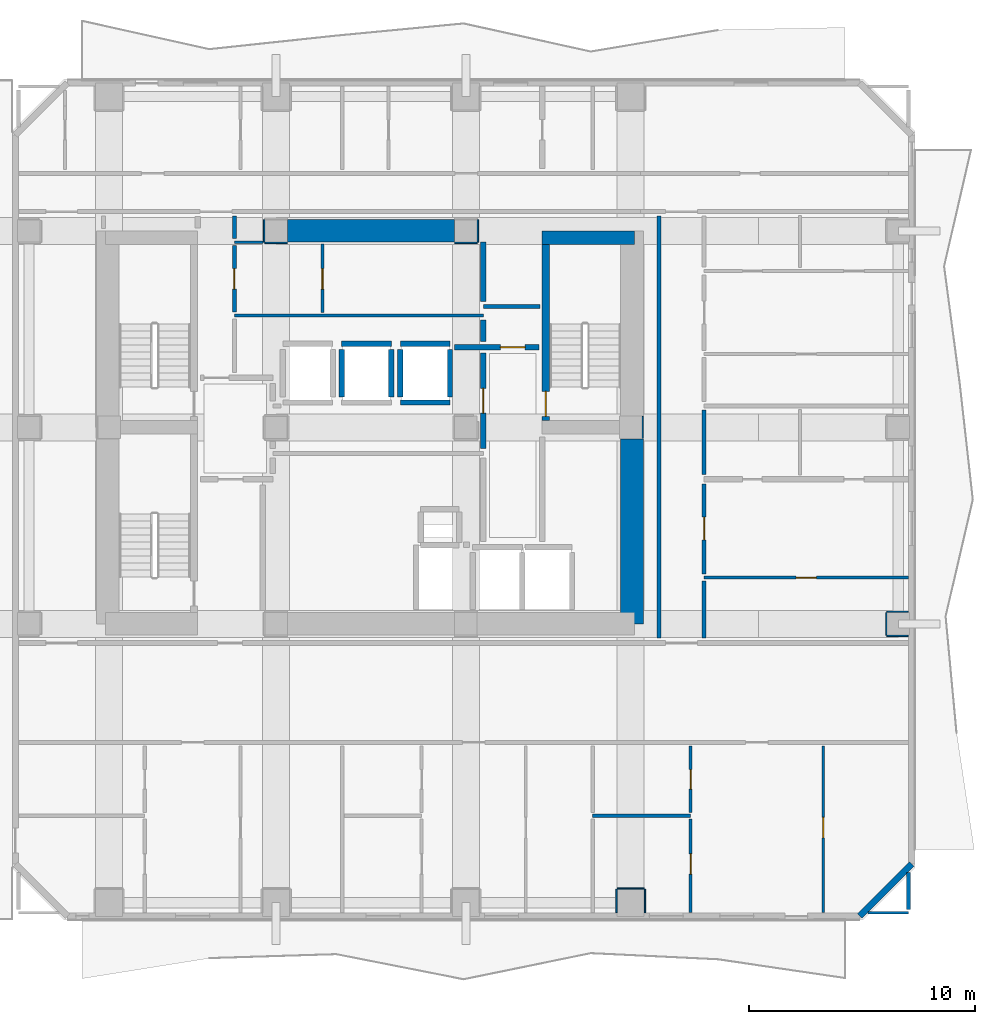
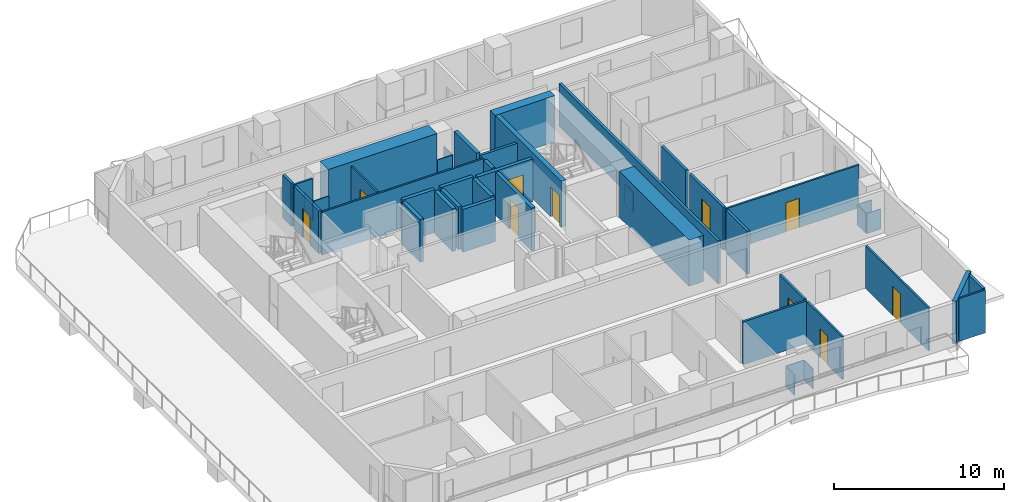
# One storey, part 4 of 10: 44 walls, 10 doors, 10 openings.
"""IFC4 building model written with IfcOpenShell, lengths in metres."""

from ifc_helpers import new_model, si_unit, direction, frame, frame_2d, origin, place, context, subcontext, project, spatial, rectangle, extrude, material, layer, layer_set, type_object, element, fill, save


model = new_model("IFC4")

# Units and contexts
model_context = context("Model", 3, precision=1e-05, world=origin(), true_north=direction((0.0, 1.0)))
body_context = subcontext(model_context, "Body", "Model", "MODEL_VIEW")
ifc_project = project(units=[si_unit("LENGTHUNIT", "METRE"), si_unit("AREAUNIT", "SQUARE_METRE"), si_unit("VOLUMEUNIT", "CUBIC_METRE"), si_unit("PLANEANGLEUNIT", "RADIAN"), si_unit("MASSUNIT", "GRAM", prefix="KILO")], contexts=[model_context])

# Site, building, storey
site_placement = place(None, origin())
site = spatial("IfcSite", under=ifc_project, at=site_placement, CompositionType="ELEMENT")
building_placement = place(site_placement, origin())
building = spatial("IfcBuilding", under=site, at=building_placement, Name="Solanera Arch Residences", CompositionType="ELEMENT")
storey_placement = place(building_placement, frame((0.0, 0.0, 126.0)))
storey = spatial("IfcBuildingStorey", under=building, at=storey_placement, Name="L36", CompositionType="ELEMENT", Elevation=126.0)

# Walls
ifc_material_1 = material(Name="Fire-Rated Gypsum Stud Partition", Category="gypsum")
ifc_layer_1 = layer(ifc_material_1, 0.06005859375)
ifc_layer_set_1 = layer_set([ifc_layer_1], Name="Fire-Rated Gypsum Stud Partition")
wall_type_1 = type_object("IfcWallType", Name="Column Acoustic Furring Wall 60", PredefinedType="PARTITIONING", material=ifc_layer_set_1)
for number, where, z_axis, x_axis, name in (
    (1, (20.300048828125, 38.867919921875, 0.0), (0.0, 0.0, 1.0), (1.0, 0.0, 0.0), "L36 Column Furring 3S"),
    (2, (20.26806640625, 38.89990234375, 0.0), (0.0, 0.0, 1.0), (0.0, 1.0, 0.0), "L36 Column Furring 3W"),
    (3, (28.699951171875, 38.867919921875, 0.0), (0.0, 0.0, 1.0), (1.0, 0.0, 0.0), "L36 Column Furring 4S"),
    (4, (29.73193359375, 38.89990234375, 0.0), (0.0, 0.0, 1.0), (0.0, 1.0, 0.0), "L36 Column Furring 4E"),
):
    element("IfcWall", number, at=place(storey_placement, frame(where, z_axis=z_axis, x_axis=x_axis)), inside=storey, type_object=wall_type_1, Name=name, PredefinedType="PARTITIONING", context=body_context, shape_type="SweptSolid", body=[
        extrude(rectangle(XDim=1.0, YDim=0.06005859375, at=frame_2d((0.5, 0.0))), origin(), (0.0, 0.0, 1.0), 1.449951171875),
    ])
wall_1_placement = place(storey_placement, frame((37.031982421875, 30.2099609375, 0.0), z_axis=(0.0, 0.0, 1.0), x_axis=(0.0, 1.0, 0.0)))
element("IfcWall", 5, at=wall_1_placement, inside=storey, type_object=wall_type_1, Name="L36 Column Furring 6E", PredefinedType="PARTITIONING", context=body_context, shape_type="SweptSolid", body=[
    extrude(rectangle(XDim=0.97998046875, YDim=0.06005859375, at=frame_2d((0.489990234375, 0.0))), origin(), (0.0, 0.0, 1.0), 1.449951171875),
])
wall_2_placement = place(storey_placement, frame((35.89990234375, 10.281982421875, 0.0), z_axis=(0.0, 0.0, 1.0), x_axis=(1.0, 0.0, 0.0)))
element("IfcWall", 6, at=wall_2_placement, inside=storey, type_object=wall_type_1, Name="L36 Column Furring 15N", PredefinedType="PARTITIONING", context=body_context, shape_type="SweptSolid", body=[
    extrude(rectangle(XDim=1.2001953125, YDim=0.06005859375, at=frame_2d((0.60009765625, 0.0))), origin(), (0.0, 0.0, 1.0), 1.449951171875),
])
for number, where, z_axis, x_axis, name in (
    (7, (35.867919921875, 9.2099609375, 0.0), (0.0, 0.0, 1.0), (0.0, 1.0, 0.0), "L36 Column Furring 15W"),
    (8, (37.132080078125, 9.2099609375, 0.0), (0.0, 0.0, 1.0), (0.0, 1.0, 0.0), "L36 Column Furring 15E"),
):
    element("IfcWall", number, at=place(storey_placement, frame(where, z_axis=z_axis, x_axis=x_axis)), inside=storey, type_object=wall_type_1, Name=name, PredefinedType="PARTITIONING", context=body_context, shape_type="SweptSolid", body=[
        extrude(rectangle(XDim=1.0400390625, YDim=0.06005859375, at=frame_2d((0.52001953125, 0.0))), origin(), (0.0, 0.0, 1.0), 1.449951171875),
    ])
for number, where, z_axis, x_axis, name in (
    (9, (47.85009765625, 21.468017578125, 0.0), (0.0, 0.0, 1.0), (1.0, 0.0, 0.0), "L36 Column Furring 18S"),
    (10, (47.85009765625, 22.531982421875, 0.0), (0.0, 0.0, 1.0), (1.0, 0.0, 0.0), "L36 Column Furring 18N"),
):
    element("IfcWall", number, at=place(storey_placement, frame(where, z_axis=z_axis, x_axis=x_axis)), inside=storey, type_object=wall_type_1, Name=name, PredefinedType="PARTITIONING", context=body_context, shape_type="SweptSolid", body=[
        extrude(rectangle(XDim=0.93994140625, YDim=0.06005859375, at=frame_2d((0.469970703125, 0.0))), origin(), (0.0, 0.0, 1.0), 1.449951171875),
    ])
wall_3_placement = place(storey_placement, frame((47.818115234375, 21.5, 0.0), z_axis=(0.0, 0.0, 1.0), x_axis=(0.0, 1.0, 0.0)))
element("IfcWall", 11, at=wall_3_placement, inside=storey, type_object=wall_type_1, Name="L36 Column Furring 18W", PredefinedType="PARTITIONING", context=body_context, shape_type="SweptSolid", body=[
    extrude(rectangle(XDim=1.0, YDim=0.06005859375, at=frame_2d((0.5, 0.0))), origin(), (0.0, 0.0, 1.0), 1.449951171875),
])
ifc_material_2 = material(Name="Concrete C55/67 (f'c = 60 MPa)", Category="concrete")
ifc_layer_2 = layer(ifc_material_2, 1.0)
ifc_layer_set_2 = layer_set([ifc_layer_2], Name="Concrete C55/67 (f'c = 60 MPa)")
wall_type_2 = type_object("IfcWallType", Name="Core Shear Wall CW-1000", PredefinedType="SHEAR", material=ifc_layer_set_2)
wall_4_placement = place(storey_placement, frame((36.56005859375, 22.0, 0.0), z_axis=(0.0, 0.0, 1.0), x_axis=(0.0, 1.0, 0.0)))
element("IfcWall", 12, at=wall_4_placement, inside=storey, type_object=wall_type_2, Name="L36 East Core South Shear Wall", PredefinedType="SHEAR", context=body_context, shape_type="SweptSolid", body=[
    extrude(rectangle(XDim=8.195068359375, YDim=1.0, at=frame_2d((4.09765625, 0.0))), origin(), (0.0, 0.0, 1.0), 3.320068359375),
])
wall_5_placement = place(storey_placement, frame((21.304931640625, 39.39990234375, 0.0), z_axis=(0.0, 0.0, 1.0), x_axis=(1.0, 0.0, 0.0)))
element("IfcWall", 13, at=wall_5_placement, inside=storey, type_object=wall_type_2, Name="L36 Central North Core Shear Wall", PredefinedType="SHEAR", context=body_context, shape_type="SweptSolid", body=[
    extrude(rectangle(XDim=7.39013671875, YDim=1.0, at=frame_2d((3.695068359375, 0.0))), origin(), (0.0, 0.0, 1.0), 3.320068359375),
])

# Wall, opening, door
ifc_material_3 = material(Name="Concrete C40/50 (f'c = 45 MPa)", Category="concrete")
ifc_layer_3 = layer(ifc_material_3, 0.320068359375)
ifc_layer_set_3 = layer_set([ifc_layer_3], Name="Concrete C40/50 (f'c = 45 MPa)")
wall_type_3 = type_object("IfcWallType", Name="Core Shear Wall CW-320", PredefinedType="SHEAR", material=ifc_layer_set_3)
wall_6_placement = place(storey_placement, frame((32.739990234375, 31.0, 0.0), z_axis=(0.0, 0.0, 1.0), x_axis=(0.0, 1.0, 0.0)))
wall_6 = element("IfcWall", 14, at=wall_6_placement, inside=storey, type_object=wall_type_3, Name="L36 Stair ST-T2 West Shear Wall", PredefinedType="SHEAR", context=body_context, shape_type="SweptSolid", body=[
    extrude(rectangle(XDim=7.800048828125, YDim=0.320068359375, at=frame_2d((3.89990234375, 0.0))), origin(), (0.0, 0.0, 1.0), 3.320068359375),
])
opening_1_placement = place(wall_6_placement, frame((0.18994140625, 0.0, 0.0)))
opening_1 = element("IfcOpeningElement", 15, at=opening_1_placement, cuts=wall_6, Name="Opening DF-01", PredefinedType="OPENING", context=body_context, shape_type="SweptSolid", body=[
    extrude(rectangle(XDim=1.10009765625, YDim=2.14990234375, at=frame_2d((0.550048828125, 1.074951171875))), frame((0.0, 0.169921875, 0.0), z_axis=(0.0, -1.0, 0.0), x_axis=(1.0, 0.0, 0.0)), (0.0, 0.0, 1.0), 0.3401),
])
ifc_material_4 = material(Name="Fire-Rated Architectural Hardwood", Category="wood")
door_type_1 = type_object("IfcDoorType", Name="Stair Exit Fire Door DF-01", OperationType="NOTDEFINED", PredefinedType="DOOR", material=ifc_material_4)
door_1_placement = place(opening_1_placement, origin())
door_1 = element("IfcDoor", 16, at=door_1_placement, inside=storey, type_object=door_type_1, Name="DR-L36-STAIR-ST-T2", OperationType="SINGLE_SWING_LEFT", OverallHeight=2.14990234375, OverallWidth=1.10009765625, PredefinedType="DOOR", context=body_context, shape_type="SweptSolid", body=[
    extrude(rectangle(XDim=1.10009765625, YDim=2.14990234375, at=frame_2d((0.550048828125, 1.074951171875))), frame((0.0, 0.02490234375, 0.0), z_axis=(0.0, -1.0, 0.0), x_axis=(1.0, 0.0, 0.0)), (0.0, 0.0, 1.0), 0.050048828125),
])
fill(opening_1, door_1)

# Walls
ifc_material_5 = material(Name="Concrete C40/50 (f'c = 45 MPa)", Category="concrete")
ifc_layer_4 = layer(ifc_material_5, 0.60009765625)
ifc_layer_set_4 = layer_set([ifc_layer_4], Name="Concrete C40/50 (f'c = 45 MPa)")
wall_type_4 = type_object("IfcWallType", Name="Core Shear Wall CW-600", PredefinedType="SHEAR", material=ifc_layer_set_4)
wall_7_placement = place(storey_placement, frame((32.580078125, 39.10009765625, 0.0), z_axis=(0.0, 0.0, 1.0), x_axis=(1.0, 0.0, 0.0)))
element("IfcWall", 17, at=wall_7_placement, inside=storey, type_object=wall_type_4, Name="L36 North-East Core Shear Wall", PredefinedType="SHEAR", context=body_context, shape_type="SweptSolid", body=[
    extrude(rectangle(XDim=4.079833984375, YDim=0.60009765625, at=frame_2d((2.0400390625, 0.0))), origin(), (0.0, 0.0, 1.0), 3.320068359375),
])
ifc_material_6 = material(Name="Autoclaved Aerated Concrete Blockwork", Category="masonry")
ifc_layer_5 = layer(ifc_material_6, 0.179931640625)
ifc_layer_set_5 = layer_set([ifc_layer_5], Name="Autoclaved Aerated Concrete Blockwork")
wall_type_5 = type_object("IfcWallType", Name="Corridor Fire Partition 180", PredefinedType="PARTITIONING", material=ifc_layer_set_5)
wall_8_placement = place(storey_placement, frame((29.97509765625, 36.050048828125, 0.0), z_axis=(0.0, 0.0, 1.0), x_axis=(1.0, 0.0, 0.0)))
element("IfcWall", 18, at=wall_8_placement, inside=storey, type_object=wall_type_5, Name="L36 Interior Partition H11", PredefinedType="PARTITIONING", context=body_context, shape_type="SweptSolid", body=[
    extrude(rectangle(XDim=2.5048828125, YDim=0.179931640625, at=frame_2d((1.25244140625, 0.0))), origin(), (0.0, 0.0, 1.0), 3.080078125),
])

# Wall, opening, door
wall_9_placement = place(storey_placement, frame((18.949951171875, 35.80810546875, 0.0), z_axis=(0.0, 0.0, 1.0), x_axis=(0.0, 1.0, 0.0)))
wall_9 = element("IfcWall", 19, at=wall_9_placement, inside=storey, type_object=wall_type_5, Name="L36 Interior Partition V9 2", PredefinedType="PARTITIONING", context=body_context, shape_type="SweptSolid", body=[
    extrude(rectangle(XDim=2.933837890625, YDim=0.179931640625, at=frame_2d((1.466796875, 0.0))), origin(), (0.0, 0.0, 1.0), 3.080078125),
])
opening_2_placement = place(wall_9_placement, frame((1.01708984375, 0.0, 0.0)))
opening_2 = element("IfcOpeningElement", 20, at=opening_2_placement, cuts=wall_9, Name="Opening DI-02", PredefinedType="OPENING", context=body_context, shape_type="SweptSolid", body=[
    extrude(rectangle(XDim=0.89990234375, YDim=2.10009765625, at=frame_2d((0.449951171875, 1.050048828125))), frame((0.0, 0.10009765625, 0.0), z_axis=(0.0, -1.0, 0.0), x_axis=(1.0, 0.0, 0.0)), (0.0, 0.0, 1.0), 0.1999),
])
ifc_material_7 = material(Name="Fire-Rated Architectural Hardwood", Category="wood")
door_type_2 = type_object("IfcDoorType", Name="Suite Room Swing Door DI-02", OperationType="NOTDEFINED", PredefinedType="DOOR", material=ifc_material_7)
door_2_placement = place(opening_2_placement, origin())
door_2 = element("IfcDoor", 21, at=door_2_placement, inside=storey, type_object=door_type_2, Name="DR-L36-IN-014", OperationType="SINGLE_SWING_LEFT", OverallHeight=2.10009765625, OverallWidth=0.89990234375, PredefinedType="DOOR", context=body_context, shape_type="SweptSolid", body=[
    extrude(rectangle(XDim=0.89990234375, YDim=2.10009765625, at=frame_2d((0.449951171875, 1.050048828125))), frame((0.0, 0.02490234375, 0.0), z_axis=(0.0, -1.0, 0.0), x_axis=(1.0, 0.0, 0.0)), (0.0, 0.0, 1.0), 0.050048828125),
])
fill(opening_2, door_2)

# Walls
wall_10_placement = place(storey_placement, frame((18.949951171875, 39.05810546875, 0.0), z_axis=(0.0, 0.0, 1.0), x_axis=(0.0, 1.0, 0.0)))
element("IfcWall", 22, at=wall_10_placement, inside=storey, type_object=wall_type_5, Name="L36 Interior Partition V9 3", PredefinedType="PARTITIONING", context=body_context, shape_type="SweptSolid", body=[
    extrude(rectangle(XDim=1.00390625, YDim=0.179931640625, at=frame_2d((0.501953125, 0.0))), origin(), (0.0, 0.0, 1.0), 3.080078125),
])
wall_11_placement = place(storey_placement, frame((37.75, 21.367919921875, 0.0), z_axis=(0.0, 0.0, 1.0), x_axis=(0.0, 1.0, 0.0)))
element("IfcWall", 23, at=wall_11_placement, inside=storey, type_object=wall_type_5, Name="L36 Interior Partition V11", PredefinedType="PARTITIONING", context=body_context, shape_type="SweptSolid", body=[
    extrude(rectangle(XDim=18.694091796875, YDim=0.179931640625, at=frame_2d((9.34716796875, 0.0))), origin(), (0.0, 0.0, 1.0), 3.080078125),
])
wall_12_placement = place(storey_placement, frame((39.75, 21.367919921875, 0.0), z_axis=(0.0, 0.0, 1.0), x_axis=(0.0, 1.0, 0.0)))
element("IfcWall", 24, at=wall_12_placement, inside=storey, type_object=wall_type_5, Name="L36 Interior Partition V12 1", PredefinedType="PARTITIONING", context=body_context, shape_type="SweptSolid", body=[
    extrude(rectangle(XDim=2.52197265625, YDim=0.179931640625, at=frame_2d((1.260986328125, 0.0))), origin(), (0.0, 0.0, 1.0), 3.080078125),
])

# Wall, opening, door
wall_13_placement = place(storey_placement, frame((39.75, 24.2060546875, 0.0), z_axis=(0.0, 0.0, 1.0), x_axis=(0.0, 1.0, 0.0)))
wall_13 = element("IfcWall", 25, at=wall_13_placement, inside=storey, type_object=wall_type_5, Name="L36 Interior Partition V12 2", PredefinedType="PARTITIONING", context=body_context, shape_type="SweptSolid", body=[
    extrude(rectangle(XDim=3.975830078125, YDim=0.179931640625, at=frame_2d((1.98779296875, 0.0))), origin(), (0.0, 0.0, 1.0), 3.080078125),
])
opening_3_placement = place(wall_13_placement, frame((1.514892578125, 0.0, 0.0)))
opening_3 = element("IfcOpeningElement", 26, at=opening_3_placement, cuts=wall_13, Name="Opening DI-01", PredefinedType="OPENING", context=body_context, shape_type="SweptSolid", body=[
    extrude(rectangle(XDim=1.0, YDim=2.14990234375, at=frame_2d((0.5, 1.074951171875))), frame((0.0, 0.10009765625, 0.0), z_axis=(0.0, -1.0, 0.0), x_axis=(1.0, 0.0, 0.0)), (0.0, 0.0, 1.0), 0.1999),
])
ifc_material_8 = material(Name="Fire-Rated Architectural Hardwood", Category="wood")
door_type_3 = type_object("IfcDoorType", Name="Unit Entrance Fire Door DI-01", OperationType="NOTDEFINED", PredefinedType="DOOR", material=ifc_material_8)
door_3_placement = place(opening_3_placement, origin())
door_3 = element("IfcDoor", 27, at=door_3_placement, inside=storey, type_object=door_type_3, Name="DR-L36-IN-035", OperationType="SINGLE_SWING_RIGHT", OverallHeight=2.14990234375, OverallWidth=1.0, PredefinedType="DOOR", context=body_context, shape_type="SweptSolid", body=[
    extrude(rectangle(XDim=1.0, YDim=2.14990234375, at=frame_2d((0.5, 1.074951171875))), frame((0.0, 0.02490234375, 0.0), z_axis=(0.0, -1.0, 0.0), x_axis=(1.0, 0.0, 0.0)), (0.0, 0.0, 1.0), 0.050048828125),
])
fill(opening_3, door_3)

# Walls
wall_14_placement = place(storey_placement, frame((39.75, 28.617919921875, 0.0), z_axis=(0.0, 0.0, 1.0), x_axis=(0.0, 1.0, 0.0)))
element("IfcWall", 28, at=wall_14_placement, inside=storey, type_object=wall_type_5, Name="L36 Interior Partition V12 3", PredefinedType="PARTITIONING", context=body_context, shape_type="SweptSolid", body=[
    extrude(rectangle(XDim=2.843994140625, YDim=0.179931640625, at=frame_2d((1.421875, 0.0))), origin(), (0.0, 0.0, 1.0), 3.080078125),
])
wall_15_placement = place(storey_placement, frame((48.800048828125, 9.35791015625, 0.0), z_axis=(0.0, 0.0, 1.0), x_axis=(0.0, 1.0, 0.0)))
element("IfcWall", 29, at=wall_15_placement, inside=storey, type_object=wall_type_5, Name="L36 Interior Partition V13 1", PredefinedType="PARTITIONING", context=body_context, shape_type="SweptSolid", body=[
    extrude(rectangle(XDim=1.63720703125, YDim=0.179931640625, at=frame_2d((0.818603515625, 0.0))), origin(), (0.0, 0.0, 1.0), 3.080078125),
])
ifc_material_9 = material(Name="Precast Concrete C35/45", Category="concrete")
ifc_layer_6 = layer(ifc_material_9, 0.280029296875)
ifc_layer_set_6 = layer_set([ifc_layer_6], Name="Precast Concrete C35/45")
wall_type_6 = type_object("IfcWallType", Name="Exterior Wall Precast Masonry-Frame 280", PredefinedType="STANDARD", material=ifc_layer_set_6)
wall_16_placement = place(storey_placement, frame((48.945068359375, 11.35498046875, 0.0), z_axis=(0.0, 0.0, 1.0), x_axis=(-0.707106781187, -0.707106781187, 0.0)))
element("IfcWall", 30, at=wall_16_placement, inside=storey, type_object=wall_type_6, Name="L36 Tower Exterior Precast Masonry-Frame Wall CH5", PredefinedType="STANDARD", context=body_context, shape_type="SweptSolid", body=[
    extrude(rectangle(XDim=3.252685546875, YDim=0.280029296875, at=frame_2d((1.62646484375, 0.0))), origin(), (0.0, 0.0, 1.0), 3.080078125),
])
ifc_material_10 = material(Name="Autoclaved Aerated Concrete Blockwork", Category="masonry")
ifc_layer_7 = layer(ifc_material_10, 0.239990234375)
ifc_layer_set_7 = layer_set([ifc_layer_7], Name="Autoclaved Aerated Concrete Blockwork")
wall_type_7 = type_object("IfcWallType", Name="Shaft Wall Fire-Rated 240", PredefinedType="PARTITIONING", material=ifc_layer_set_7)
wall_17_placement = place(storey_placement, frame((23.699951171875, 34.39990234375, 0.0), z_axis=(0.0, 0.0, 1.0), x_axis=(1.0, 0.0, 0.0)))
element("IfcWall", 31, at=wall_17_placement, inside=storey, type_object=wall_type_7, Name="L36 Lift PL-M2 Hoistway Wall N", PredefinedType="PARTITIONING", context=body_context, shape_type="SweptSolid", body=[
    extrude(rectangle(XDim=2.199951171875, YDim=0.239990234375, at=frame_2d((1.10009765625, 0.0))), origin(), (0.0, 0.0, 1.0), 3.080078125),
])
for number, where, z_axis, x_axis, name in (
    (32, (23.699951171875, 32.048095703125, 0.0), (0.0, 0.0, 1.0), (0.0, 1.0, 0.0), "L36 Lift PL-M2 Hoistway Wall W"),
    (33, (25.89990234375, 32.048095703125, 0.0), (0.0, 0.0, 1.0), (0.0, 1.0, 0.0), "L36 Lift PL-M2 Hoistway Wall E"),
):
    element("IfcWall", number, at=place(storey_placement, frame(where, z_axis=z_axis, x_axis=x_axis)), inside=storey, type_object=wall_type_7, Name=name, PredefinedType="PARTITIONING", context=body_context, shape_type="SweptSolid", body=[
        extrude(rectangle(XDim=2.10400390625, YDim=0.239990234375, at=frame_2d((1.052001953125, 0.0))), origin(), (0.0, 0.0, 1.0), 3.080078125),
    ])
for number, where, z_axis, x_axis, name in (
    (34, (26.300048828125, 31.800048828125, 0.0), (0.0, 0.0, 1.0), (1.0, 0.0, 0.0), "L36 Lift PL-M3 Hoistway Wall S"),
    (35, (26.300048828125, 34.39990234375, 0.0), (0.0, 0.0, 1.0), (1.0, 0.0, 0.0), "L36 Lift PL-M3 Hoistway Wall N"),
):
    element("IfcWall", number, at=place(storey_placement, frame(where, z_axis=z_axis, x_axis=x_axis)), inside=storey, type_object=wall_type_7, Name=name, PredefinedType="PARTITIONING", context=body_context, shape_type="SweptSolid", body=[
        extrude(rectangle(XDim=2.199951171875, YDim=0.239990234375, at=frame_2d((1.10009765625, 0.0))), origin(), (0.0, 0.0, 1.0), 3.080078125),
    ])
for number, where, z_axis, x_axis, name in (
    (36, (26.300048828125, 32.048095703125, 0.0), (0.0, 0.0, 1.0), (0.0, 1.0, 0.0), "L36 Lift PL-M3 Hoistway Wall W"),
    (37, (28.5, 32.048095703125, 0.0), (0.0, 0.0, 1.0), (0.0, 1.0, 0.0), "L36 Lift PL-M3 Hoistway Wall E"),
):
    element("IfcWall", number, at=place(storey_placement, frame(where, z_axis=z_axis, x_axis=x_axis)), inside=storey, type_object=wall_type_7, Name=name, PredefinedType="PARTITIONING", context=body_context, shape_type="SweptSolid", body=[
        extrude(rectangle(XDim=2.10400390625, YDim=0.239990234375, at=frame_2d((1.052001953125, 0.0))), origin(), (0.0, 0.0, 1.0), 3.080078125),
    ])

# Wall, opening, door
wall_18_placement = place(storey_placement, frame((28.701904296875, 34.25, 0.0), z_axis=(0.0, 0.0, 1.0), x_axis=(1.0, 0.0, 0.0)))
wall_18 = element("IfcWall", 38, at=wall_18_placement, inside=storey, type_object=wall_type_7, Name="L36 Interior Partition H6", PredefinedType="PARTITIONING", context=body_context, shape_type="SweptSolid", body=[
    extrude(rectangle(XDim=3.748046875, YDim=0.239990234375, at=frame_2d((1.8740234375, 0.0))), origin(), (0.0, 0.0, 1.0), 3.080078125),
])
opening_4_placement = place(wall_18_placement, frame((2.02490234375, 0.0, 0.0)))
opening_4 = element("IfcOpeningElement", 39, at=opening_4_placement, cuts=wall_18, Name="Opening DF-02", PredefinedType="OPENING", context=body_context, shape_type="SweptSolid", body=[
    extrude(rectangle(XDim=1.10009765625, YDim=2.14990234375, at=frame_2d((0.550048828125, 1.074951171875))), frame((0.0, 0.1298828125, 0.0), z_axis=(0.0, -1.0, 0.0), x_axis=(1.0, 0.0, 0.0)), (0.0, 0.0, 1.0), 0.26),
])
ifc_material_11 = material(Name="Fire-Rated Architectural Hardwood", Category="wood")
door_type_4 = type_object("IfcDoorType", Name="Firefighting Lobby Fire Door DF-02", OperationType="NOTDEFINED", PredefinedType="DOOR", material=ifc_material_11)
door_4_placement = place(opening_4_placement, origin())
door_4 = element("IfcDoor", 40, at=door_4_placement, inside=storey, type_object=door_type_4, Name="DR-L36-IN-007", OperationType="SINGLE_SWING_RIGHT", OverallHeight=2.14990234375, OverallWidth=1.10009765625, PredefinedType="DOOR", context=body_context, shape_type="SweptSolid", body=[
    extrude(rectangle(XDim=1.10009765625, YDim=2.14990234375, at=frame_2d((0.550048828125, 1.074951171875))), frame((0.0, 0.02490234375, 0.0), z_axis=(0.0, -1.0, 0.0), x_axis=(1.0, 0.0, 0.0)), (0.0, 0.0, 1.0), 0.050048828125),
])
fill(opening_4, door_4)

wall_19_placement = place(storey_placement, frame((29.97509765625, 29.76806640625, 0.0), z_axis=(0.0, 0.0, 1.0), x_axis=(0.0, 1.0, 0.0)))
wall_19 = element("IfcWall", 41, at=wall_19_placement, inside=storey, type_object=wall_type_7, Name="L36 Interior Partition V4 2", PredefinedType="PARTITIONING", context=body_context, shape_type="SweptSolid", body=[
    extrude(rectangle(XDim=4.23388671875, YDim=0.239990234375, at=frame_2d((2.116943359375, 0.0))), origin(), (0.0, 0.0, 1.0), 3.080078125),
])
opening_5_placement = place(wall_19_placement, frame((1.556884765625, 0.0, 0.0)))
opening_5 = element("IfcOpeningElement", 42, at=opening_5_placement, cuts=wall_19, Name="Opening DF-02", PredefinedType="OPENING", context=body_context, shape_type="SweptSolid", body=[
    extrude(rectangle(XDim=1.10009765625, YDim=2.14990234375, at=frame_2d((0.550048828125, 1.074951171875))), frame((0.0, 0.1298828125, 0.0), z_axis=(0.0, -1.0, 0.0), x_axis=(1.0, 0.0, 0.0)), (0.0, 0.0, 1.0), 0.26),
])
door_5_placement = place(opening_5_placement, origin())
door_5 = element("IfcDoor", 43, at=door_5_placement, inside=storey, type_object=door_type_4, Name="DR-L36-IN-006", OperationType="SINGLE_SWING_LEFT", OverallHeight=2.14990234375, OverallWidth=1.10009765625, PredefinedType="DOOR", context=body_context, shape_type="SweptSolid", body=[
    extrude(rectangle(XDim=1.10009765625, YDim=2.14990234375, at=frame_2d((0.550048828125, 1.074951171875))), frame((0.0, 0.02490234375, 0.0), z_axis=(0.0, -1.0, 0.0), x_axis=(1.0, 0.0, 0.0)), (0.0, 0.0, 1.0), 0.050048828125),
])
fill(opening_5, door_5)

# Walls
wall_20_placement = place(storey_placement, frame((29.97509765625, 34.498046875, 0.0), z_axis=(0.0, 0.0, 1.0), x_axis=(0.0, 1.0, 0.0)))
element("IfcWall", 44, at=wall_20_placement, inside=storey, type_object=wall_type_7, Name="L36 Interior Partition V4 3", PredefinedType="PARTITIONING", context=body_context, shape_type="SweptSolid", body=[
    extrude(rectangle(XDim=0.9638671875, YDim=0.239990234375, at=frame_2d((0.48193359375, 0.0))), origin(), (0.0, 0.0, 1.0), 3.080078125),
])
wall_21_placement = place(storey_placement, frame((29.97509765625, 36.26806640625, 0.0), z_axis=(0.0, 0.0, 1.0), x_axis=(0.0, 1.0, 0.0)))
element("IfcWall", 45, at=wall_21_placement, inside=storey, type_object=wall_type_7, Name="L36 Interior Partition V4 4", PredefinedType="PARTITIONING", context=body_context, shape_type="SweptSolid", body=[
    extrude(rectangle(XDim=2.6318359375, YDim=0.239990234375, at=frame_2d((1.31591796875, 0.0))), origin(), (0.0, 0.0, 1.0), 3.080078125),
])
ifc_material_12 = material(Name="Fire-Rated Gypsum Stud Partition", Category="gypsum")
ifc_layer_8 = layer(ifc_material_12, 0.1201171875)
ifc_layer_set_8 = layer_set([ifc_layer_8], Name="Fire-Rated Gypsum Stud Partition")
wall_type_8 = type_object("IfcWallType", Name="Unit Drywall Partition 120", PredefinedType="PARTITIONING", material=ifc_layer_set_8)
wall_22_placement = place(storey_placement, frame((47.0048828125, 9.199951171875, 0.0), z_axis=(0.0, 0.0, 1.0), x_axis=(1.0, 0.0, 0.0)))
element("IfcWall", 46, at=wall_22_placement, inside=storey, type_object=wall_type_8, Name="L36 Interior Partition H19 2", PredefinedType="PARTITIONING", context=body_context, shape_type="SweptSolid", body=[
    extrude(rectangle(XDim=1.795166015625, YDim=0.1201171875, at=frame_2d((0.8974609375, 0.0))), origin(), (0.0, 0.0, 1.0), 3.080078125),
])

# Wall, opening, door
wall_23_placement = place(storey_placement, frame((39.75, 24.048095703125, 0.0), z_axis=(0.0, 0.0, 1.0), x_axis=(1.0, 0.0, 0.0)))
wall_23 = element("IfcWall", 47, at=wall_23_placement, inside=storey, type_object=wall_type_8, Name="L36 Interior Partition H20", PredefinedType="PARTITIONING", context=body_context, shape_type="SweptSolid", body=[
    extrude(rectangle(XDim=9.04296875, YDim=0.1201171875, at=frame_2d((4.521484375, 0.0))), origin(), (0.0, 0.0, 1.0), 3.080078125),
])
opening_6_placement = place(wall_23_placement, frame((4.074951171875, 0.0, 0.0)))
opening_6 = element("IfcOpeningElement", 48, at=opening_6_placement, cuts=wall_23, Name="Opening DI-02", PredefinedType="OPENING", context=body_context, shape_type="SweptSolid", body=[
    extrude(rectangle(XDim=0.89990234375, YDim=2.10009765625, at=frame_2d((0.449951171875, 1.050048828125))), frame((0.0, 0.070068359375, 0.0), z_axis=(0.0, -1.0, 0.0), x_axis=(1.0, 0.0, 0.0)), (0.0, 0.0, 1.0), 0.1401),
])
door_6_placement = place(opening_6_placement, origin())
door_6 = element("IfcDoor", 49, at=door_6_placement, inside=storey, type_object=door_type_2, Name="DR-L36-IN-036", OperationType="SINGLE_SWING_LEFT", OverallHeight=2.10009765625, OverallWidth=0.89990234375, PredefinedType="DOOR", context=body_context, shape_type="SweptSolid", body=[
    extrude(rectangle(XDim=0.89990234375, YDim=2.10009765625, at=frame_2d((0.449951171875, 1.050048828125))), frame((0.0, 0.02490234375, 0.0), z_axis=(0.0, -1.0, 0.0), x_axis=(1.0, 0.0, 0.0)), (0.0, 0.0, 1.0), 0.050048828125),
])
fill(opening_6, door_6)

# Walls
wall_24_placement = place(storey_placement, frame((18.949951171875, 35.64990234375, 0.0), z_axis=(0.0, 0.0, 1.0), x_axis=(1.0, 0.0, 0.0)))
element("IfcWall", 50, at=wall_24_placement, inside=storey, type_object=wall_type_8, Name="L36 Interior Partition H22", PredefinedType="PARTITIONING", context=body_context, shape_type="SweptSolid", body=[
    extrude(rectangle(XDim=11.025146484375, YDim=0.1201171875, at=frame_2d((5.5126953125, 0.0))), origin(), (0.0, 0.0, 1.0), 3.080078125),
])
wall_25_placement = place(storey_placement, frame((18.949951171875, 38.89990234375, 0.0), z_axis=(0.0, 0.0, 1.0), x_axis=(1.0, 0.0, 0.0)))
element("IfcWall", 51, at=wall_25_placement, inside=storey, type_object=wall_type_8, Name="L36 Interior Partition H23", PredefinedType="PARTITIONING", context=body_context, shape_type="SweptSolid", body=[
    extrude(rectangle(XDim=1.278076171875, YDim=0.1201171875, at=frame_2d((0.63916015625, 0.0))), origin(), (0.0, 0.0, 1.0), 3.080078125),
])

# Wall, opening, door
wall_26_placement = place(storey_placement, frame((22.85009765625, 35.778076171875, 0.0), z_axis=(0.0, 0.0, 1.0), x_axis=(0.0, 1.0, 0.0)))
wall_26 = element("IfcWall", 52, at=wall_26_placement, inside=storey, type_object=wall_type_8, Name="L36 Interior Partition V27", PredefinedType="PARTITIONING", context=body_context, shape_type="SweptSolid", body=[
    extrude(rectangle(XDim=3.052001953125, YDim=0.1201171875, at=frame_2d((1.52587890625, 0.0))), origin(), (0.0, 0.0, 1.0), 3.080078125),
])
opening_7_placement = place(wall_26_placement, frame((1.047119140625, 0.0, 0.0)))
opening_7 = element("IfcOpeningElement", 53, at=opening_7_placement, cuts=wall_26, Name="Opening DI-02", PredefinedType="OPENING", context=body_context, shape_type="SweptSolid", body=[
    extrude(rectangle(XDim=0.89990234375, YDim=2.10009765625, at=frame_2d((0.449951171875, 1.050048828125))), frame((0.0, 0.070068359375, 0.0), z_axis=(0.0, -1.0, 0.0), x_axis=(1.0, 0.0, 0.0)), (0.0, 0.0, 1.0), 0.1401),
])
door_7_placement = place(opening_7_placement, origin())
door_7 = element("IfcDoor", 54, at=door_7_placement, inside=storey, type_object=door_type_2, Name="DR-L36-IN-015", OperationType="SINGLE_SWING_RIGHT", OverallHeight=2.10009765625, OverallWidth=0.89990234375, PredefinedType="DOOR", context=body_context, shape_type="SweptSolid", body=[
    extrude(rectangle(XDim=0.89990234375, YDim=2.10009765625, at=frame_2d((0.449951171875, 1.050048828125))), frame((0.0, 0.02490234375, 0.0), z_axis=(0.0, -1.0, 0.0), x_axis=(1.0, 0.0, 0.0)), (0.0, 0.0, 1.0), 0.050048828125),
])
fill(opening_7, door_7)

wall_27_placement = place(storey_placement, frame((45.02490234375, 9.20703125, 0.0), z_axis=(0.0, 0.0, 1.0), x_axis=(0.0, 1.0, 0.0)))
wall_27 = element("IfcWall", 55, at=wall_27_placement, inside=storey, type_object=wall_type_8, Name="L36 Interior Partition V29", PredefinedType="PARTITIONING", context=body_context, shape_type="SweptSolid", body=[
    extrude(rectangle(XDim=7.385009765625, YDim=0.1201171875, at=frame_2d((3.6923828125, 0.0))), origin(), (0.0, 0.0, 1.0), 3.080078125),
])
opening_8_placement = place(wall_27_placement, frame((3.318115234375, 0.0, 0.0)))
opening_8 = element("IfcOpeningElement", 56, at=opening_8_placement, cuts=wall_27, Name="Opening DI-02", PredefinedType="OPENING", context=body_context, shape_type="SweptSolid", body=[
    extrude(rectangle(XDim=0.89990234375, YDim=2.10009765625, at=frame_2d((0.449951171875, 1.050048828125))), frame((0.0, 0.070068359375, 0.0), z_axis=(0.0, -1.0, 0.0), x_axis=(1.0, 0.0, 0.0)), (0.0, 0.0, 1.0), 0.1401),
])
door_8_placement = place(opening_8_placement, origin())
door_8 = element("IfcDoor", 57, at=door_8_placement, inside=storey, type_object=door_type_2, Name="DR-L36-IN-027", OperationType="SINGLE_SWING_RIGHT", OverallHeight=2.10009765625, OverallWidth=0.89990234375, PredefinedType="DOOR", context=body_context, shape_type="SweptSolid", body=[
    extrude(rectangle(XDim=0.89990234375, YDim=2.10009765625, at=frame_2d((0.449951171875, 1.050048828125))), frame((0.0, 0.02490234375, 0.0), z_axis=(0.0, -1.0, 0.0), x_axis=(1.0, 0.0, 0.0)), (0.0, 0.0, 1.0), 0.050048828125),
])
fill(opening_8, door_8)

# Wall
ifc_material_13 = material(Name="Autoclaved Aerated Concrete Blockwork", Category="masonry")
ifc_layer_9 = layer(ifc_material_13, 0.139892578125)
ifc_layer_set_9 = layer_set([ifc_layer_9], Name="Autoclaved Aerated Concrete Blockwork")
wall_type_9 = type_object("IfcWallType", Name="Wet-Room Partition 140", PredefinedType="PARTITIONING", material=ifc_layer_set_9)
wall_28_placement = place(storey_placement, frame((34.820068359375, 13.50390625, 0.0), z_axis=(0.0, 0.0, 1.0), x_axis=(1.0, 0.0, 0.0)))
element("IfcWall", 58, at=wall_28_placement, inside=storey, type_object=wall_type_9, Name="L36 Interior Partition H16", PredefinedType="PARTITIONING", context=body_context, shape_type="SweptSolid", body=[
    extrude(rectangle(XDim=4.333984375, YDim=0.139892578125, at=frame_2d((2.1669921875, 0.0))), origin(), (0.0, 0.0, 1.0), 3.080078125),
])

# Wall, opening, door
wall_29_placement = place(storey_placement, frame((39.154052734375, 9.20703125, 0.0), z_axis=(0.0, 0.0, 1.0), x_axis=(0.0, 1.0, 0.0)))
wall_29 = element("IfcWall", 59, at=wall_29_placement, inside=storey, type_object=wall_type_9, Name="L36 Interior Partition V22 1", PredefinedType="PARTITIONING", context=body_context, shape_type="SweptSolid", body=[
    extrude(rectangle(XDim=4.14892578125, YDim=0.139892578125, at=frame_2d((2.074462890625, 0.0))), origin(), (0.0, 0.0, 1.0), 3.080078125),
])
opening_9_placement = place(wall_29_placement, frame((1.7080078125, 0.0, 0.0)))
opening_9 = element("IfcOpeningElement", 60, at=opening_9_placement, cuts=wall_29, Name="Opening DI-03", PredefinedType="OPENING", context=body_context, shape_type="SweptSolid", body=[
    extrude(rectangle(XDim=0.89990234375, YDim=2.10009765625, at=frame_2d((0.449951171875, 1.050048828125))), frame((0.0, 0.079833984375, 0.0), z_axis=(0.0, -1.0, 0.0), x_axis=(1.0, 0.0, 0.0)), (0.0, 0.0, 1.0), 0.1599),
])
ifc_material_14 = material(Name="Fire-Rated Architectural Hardwood", Category="wood")
door_type_5 = type_object("IfcDoorType", Name="Bedroom Swing Door DI-03", OperationType="NOTDEFINED", PredefinedType="DOOR", material=ifc_material_14)
door_9_placement = place(opening_9_placement, origin())
door_9 = element("IfcDoor", 61, at=door_9_placement, inside=storey, type_object=door_type_5, Name="DR-L36-IN-026", OperationType="SINGLE_SWING_LEFT", OverallHeight=2.10009765625, OverallWidth=0.89990234375, PredefinedType="DOOR", context=body_context, shape_type="SweptSolid", body=[
    extrude(rectangle(XDim=0.89990234375, YDim=2.10009765625, at=frame_2d((0.449951171875, 1.050048828125))), frame((0.0, 0.02490234375, 0.0), z_axis=(0.0, -1.0, 0.0), x_axis=(1.0, 0.0, 0.0)), (0.0, 0.0, 1.0), 0.050048828125),
])
fill(opening_9, door_9)

wall_30_placement = place(storey_placement, frame((39.154052734375, 13.652099609375, 0.0), z_axis=(0.0, 0.0, 1.0), x_axis=(0.0, 1.0, 0.0)))
wall_30 = element("IfcWall", 62, at=wall_30_placement, inside=storey, type_object=wall_type_9, Name="L36 Interior Partition V22 2", PredefinedType="PARTITIONING", context=body_context, shape_type="SweptSolid", body=[
    extrude(rectangle(XDim=2.929931640625, YDim=0.139892578125, at=frame_2d((1.46484375, 0.0))), origin(), (0.0, 0.0, 1.0), 3.080078125),
])
opening_10_placement = place(wall_30_placement, frame((1.031982421875, 0.0, 0.0)))
opening_10 = element("IfcOpeningElement", 63, at=opening_10_placement, cuts=wall_30, Name="Opening DI-05", PredefinedType="OPENING", context=body_context, shape_type="SweptSolid", body=[
    extrude(rectangle(XDim=0.860107421875, YDim=2.02001953125, at=frame_2d((0.43017578125, 1.010009765625))), frame((0.0, 0.079833984375, 0.0), z_axis=(0.0, -1.0, 0.0), x_axis=(1.0, 0.0, 0.0)), (0.0, 0.0, 1.0), 0.1599),
])
ifc_material_15 = material(Name="Fire-Rated Architectural Hardwood", Category="wood")
door_type_6 = type_object("IfcDoorType", Name="Bathroom Swing Door DI-05", OperationType="NOTDEFINED", PredefinedType="DOOR", material=ifc_material_15)
door_10_placement = place(opening_10_placement, origin())
door_10 = element("IfcDoor", 64, at=door_10_placement, inside=storey, type_object=door_type_6, Name="DR-L36-IN-025", OperationType="SINGLE_SWING_RIGHT", OverallHeight=2.02001953125, OverallWidth=0.860107421875, PredefinedType="DOOR", context=body_context, shape_type="SweptSolid", body=[
    extrude(rectangle(XDim=0.860107421875, YDim=2.02001953125, at=frame_2d((0.43017578125, 1.010009765625))), frame((0.0, 0.02490234375, 0.0), z_axis=(0.0, -1.0, 0.0), x_axis=(1.0, 0.0, 0.0)), (0.0, 0.0, 1.0), 0.050048828125),
])
fill(opening_10, door_10)

save(model, "model.ifc")
